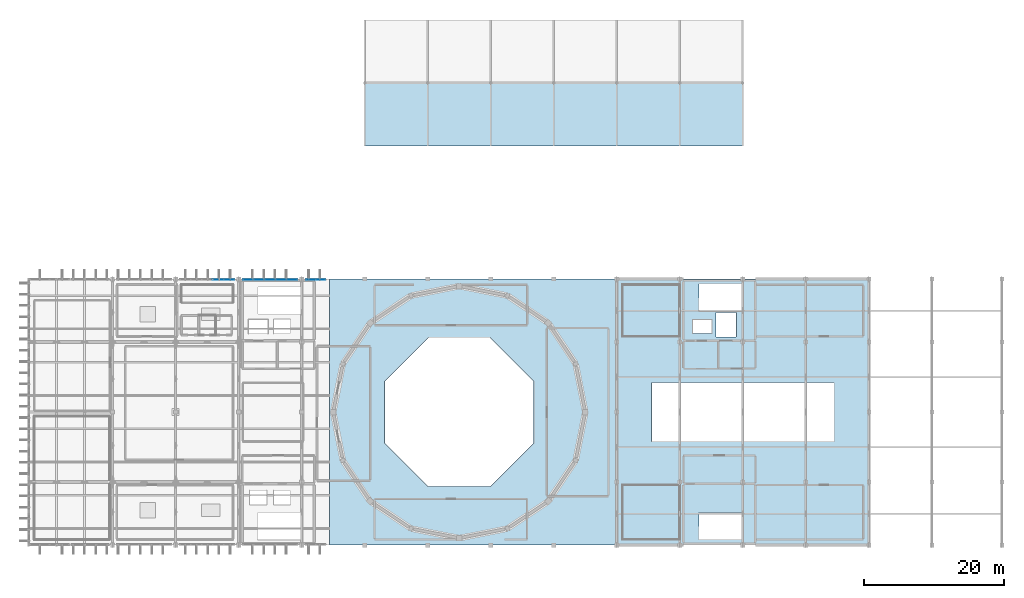
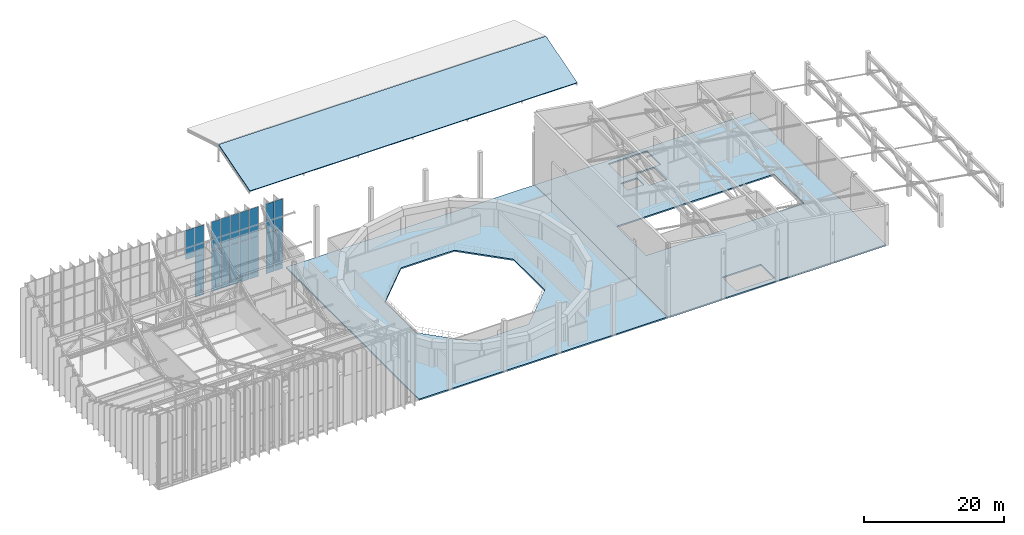
# One storey, part 51 of 68: 25 plates, 3 slabs, 3 elements without a shape of their own.
"""IFC4 building model written with IfcOpenShell, lengths in metres."""

from ifc_helpers import new_model, si_unit, direction, frame, origin, origin_2d, place, context, subcontext, project, spatial, polyline, rectangle, outline, extrude, material, layer, layer_set, type_object, element, aggregate, save


model = new_model("IFC4")

# Units and contexts
model_context = context("Model", 3, precision=1e-05, world=origin(), true_north=direction((0.0, 1.0)))
body_context = subcontext(model_context, "Body", "Model", "MODEL_VIEW")
ifc_project = project(units=[si_unit("LENGTHUNIT", "METRE"), si_unit("AREAUNIT", "SQUARE_METRE"), si_unit("VOLUMEUNIT", "CUBIC_METRE"), si_unit("PLANEANGLEUNIT", "RADIAN"), si_unit("MASSUNIT", "GRAM", prefix="KILO")], contexts=[model_context])

# Site, building, storey
site_placement = place(None, origin())
site = spatial("IfcSite", under=ifc_project, at=site_placement, CompositionType="ELEMENT")
building_placement = place(site_placement, origin())
building = spatial("IfcBuilding", under=site, at=building_placement, Name="Miravela Opera House", CompositionType="ELEMENT")
storey_placement = place(building_placement, frame((0.0, 0.0, 21.760009765625)))
storey = spatial("IfcBuildingStorey", under=building, at=storey_placement, Name="L05", CompositionType="ELEMENT", Elevation=21.760009765625)

# Curtain wall, plates
ifc_material_1 = material(Name="Anodised architectural bronze aluminium 6063-T6", Category="aluminium")
curtain_wall_type = type_object("IfcCurtainWallType", Name="ARC-CW-03", PredefinedType="NOTDEFINED", material=ifc_material_1)
curtain_wall_1_placement = place(storey_placement, origin())
curtain_wall_1 = element("IfcCurtainWall", 1, at=curtain_wall_1_placement, inside=storey, type_object=curtain_wall_type, Name="Auditorium North Wrapper Glazing CW-L05-061", PredefinedType="NOTDEFINED")
ifc_material_2 = material(Name="Triple-glazed acoustic laminated low-E glass", Category="glass")
ifc_layer_1 = layer(ifc_material_2, 0.035888671875)
ifc_layer_set_1 = layer_set([ifc_layer_1])
plate_type = type_object("IfcPlateType", Name="ARC-CWP-36", PredefinedType="CURTAIN_PANEL", material=ifc_layer_set_1)
plate_1_placement = place(storey_placement, frame((42.068115234375, 74.919921875, 7.17236328125), z_axis=(0.0, 0.0, 1.0), x_axis=(1.0, 0.0, 0.0)))
plate_1 = element("IfcPlate", 2, at=plate_1_placement, type_object=plate_type, Name="CW-03 panel 4.3", PredefinedType="CURTAIN_PANEL", context=body_context, shape_type="SweptSolid", body=[
    extrude(rectangle(XDim=1.5029296875, YDim=0.035888671875, at=origin_2d()), origin(), (0.0, 0.0, 1.0), 5.07275390625),
])
plate_2_placement = place(storey_placement, frame((43.61962890625, 74.919921875, 0.06494140625), z_axis=(0.0, 0.0, 1.0), x_axis=(1.0, 0.0, 0.0)))
plate_2 = element("IfcPlate", 3, at=plate_2_placement, type_object=plate_type, Name="CW-03 panel 5.1", PredefinedType="CURTAIN_PANEL", context=body_context, shape_type="SweptSolid", body=[
    extrude(rectangle(XDim=1.470458984375, YDim=0.035888671875, at=origin_2d()), origin(), (0.0, 0.0, 1.0), 0.8525390625),
])
plate_3_placement = place(storey_placement, frame((43.61962890625, 74.919921875, 0.982421875), z_axis=(0.0, 0.0, 1.0), x_axis=(1.0, 0.0, 0.0)))
plate_3 = element("IfcPlate", 4, at=plate_3_placement, type_object=plate_type, Name="CW-03 panel 5.2", PredefinedType="CURTAIN_PANEL", context=body_context, shape_type="SweptSolid", body=[
    extrude(rectangle(XDim=1.470458984375, YDim=0.035888671875, at=origin_2d()), origin(), (0.0, 0.0, 1.0), 6.124755859375),
])
plate_4_placement = place(storey_placement, frame((43.61962890625, 74.919921875, 7.17236328125), z_axis=(0.0, 0.0, 1.0), x_axis=(1.0, 0.0, 0.0)))
plate_4 = element("IfcPlate", 5, at=plate_4_placement, type_object=plate_type, Name="CW-03 panel 5.3", PredefinedType="CURTAIN_PANEL", context=body_context, shape_type="SweptSolid", body=[
    extrude(rectangle(XDim=1.470458984375, YDim=0.035888671875, at=origin_2d()), origin(), (0.0, 0.0, 1.0), 5.07275390625),
])
aggregate(curtain_wall_1, [plate_1, plate_2, plate_3, plate_4])

curtain_wall_2_placement = place(storey_placement, origin())
curtain_wall_2 = element("IfcCurtainWall", 6, at=curtain_wall_2_placement, inside=storey, type_object=curtain_wall_type, Name="Auditorium North Wrapper Glazing CW-L05-063", PredefinedType="NOTDEFINED")
plate_5_placement = place(storey_placement, frame((46.38037109375, 74.919921875, 0.06494140625), z_axis=(0.0, 0.0, 1.0), x_axis=(1.0, 0.0, 0.0)))
plate_5 = element("IfcPlate", 7, at=plate_5_placement, type_object=plate_type, Name="CW-03 panel 1.1", PredefinedType="CURTAIN_PANEL", context=body_context, shape_type="SweptSolid", body=[
    extrude(rectangle(XDim=1.470458984375, YDim=0.035888671875, at=origin_2d()), origin(), (0.0, 0.0, 1.0), 0.8525390625),
])
plate_6_placement = place(storey_placement, frame((46.38037109375, 74.919921875, 0.982421875), z_axis=(0.0, 0.0, 1.0), x_axis=(1.0, 0.0, 0.0)))
plate_6 = element("IfcPlate", 8, at=plate_6_placement, type_object=plate_type, Name="CW-03 panel 1.2", PredefinedType="CURTAIN_PANEL", context=body_context, shape_type="SweptSolid", body=[
    extrude(rectangle(XDim=1.470458984375, YDim=0.035888671875, at=origin_2d()), origin(), (0.0, 0.0, 1.0), 6.124755859375),
])
plate_7_placement = place(storey_placement, frame((46.38037109375, 74.919921875, 7.17236328125), z_axis=(0.0, 0.0, 1.0), x_axis=(1.0, 0.0, 0.0)))
plate_7 = element("IfcPlate", 9, at=plate_7_placement, type_object=plate_type, Name="CW-03 panel 1.3", PredefinedType="CURTAIN_PANEL", context=body_context, shape_type="SweptSolid", body=[
    extrude(rectangle(XDim=1.470458984375, YDim=0.035888671875, at=origin_2d()), origin(), (0.0, 0.0, 1.0), 5.07275390625),
])
plate_8_placement = place(storey_placement, frame((47.931884765625, 74.919921875, 0.06494140625), z_axis=(0.0, 0.0, 1.0), x_axis=(1.0, 0.0, 0.0)))
plate_8 = element("IfcPlate", 10, at=plate_8_placement, type_object=plate_type, Name="CW-03 panel 2.1", PredefinedType="CURTAIN_PANEL", context=body_context, shape_type="SweptSolid", body=[
    extrude(rectangle(XDim=1.5029296875, YDim=0.035888671875, at=origin_2d()), origin(), (0.0, 0.0, 1.0), 0.8525390625),
])
plate_9_placement = place(storey_placement, frame((47.931884765625, 74.919921875, 0.982421875), z_axis=(0.0, 0.0, 1.0), x_axis=(1.0, 0.0, 0.0)))
plate_9 = element("IfcPlate", 11, at=plate_9_placement, type_object=plate_type, Name="CW-03 panel 2.2", PredefinedType="CURTAIN_PANEL", context=body_context, shape_type="SweptSolid", body=[
    extrude(rectangle(XDim=1.5029296875, YDim=0.035888671875, at=origin_2d()), origin(), (0.0, 0.0, 1.0), 6.124755859375),
])
plate_10_placement = place(storey_placement, frame((47.931884765625, 74.919921875, 7.17236328125), z_axis=(0.0, 0.0, 1.0), x_axis=(1.0, 0.0, 0.0)))
plate_10 = element("IfcPlate", 12, at=plate_10_placement, type_object=plate_type, Name="CW-03 panel 2.3", PredefinedType="CURTAIN_PANEL", context=body_context, shape_type="SweptSolid", body=[
    extrude(rectangle(XDim=1.5029296875, YDim=0.035888671875, at=origin_2d()), origin(), (0.0, 0.0, 1.0), 5.07275390625),
])
plate_11_placement = place(storey_placement, frame((49.5, 74.919921875, 0.06494140625), z_axis=(0.0, 0.0, 1.0), x_axis=(1.0, 0.0, 0.0)))
plate_11 = element("IfcPlate", 13, at=plate_11_placement, type_object=plate_type, Name="CW-03 panel 3.1", PredefinedType="CURTAIN_PANEL", context=body_context, shape_type="SweptSolid", body=[
    extrude(rectangle(XDim=1.5029296875, YDim=0.035888671875, at=origin_2d()), origin(), (0.0, 0.0, 1.0), 0.8525390625),
])
plate_12_placement = place(storey_placement, frame((49.5, 74.919921875, 0.982421875), z_axis=(0.0, 0.0, 1.0), x_axis=(1.0, 0.0, 0.0)))
plate_12 = element("IfcPlate", 14, at=plate_12_placement, type_object=plate_type, Name="CW-03 panel 3.2", PredefinedType="CURTAIN_PANEL", context=body_context, shape_type="SweptSolid", body=[
    extrude(rectangle(XDim=1.5029296875, YDim=0.035888671875, at=origin_2d()), origin(), (0.0, 0.0, 1.0), 6.124755859375),
])
plate_13_placement = place(storey_placement, frame((49.5, 74.919921875, 7.17236328125), z_axis=(0.0, 0.0, 1.0), x_axis=(1.0, 0.0, 0.0)))
plate_13 = element("IfcPlate", 15, at=plate_13_placement, type_object=plate_type, Name="CW-03 panel 3.3", PredefinedType="CURTAIN_PANEL", context=body_context, shape_type="SweptSolid", body=[
    extrude(rectangle(XDim=1.5029296875, YDim=0.035888671875, at=origin_2d()), origin(), (0.0, 0.0, 1.0), 5.07275390625),
])
plate_14_placement = place(storey_placement, frame((51.068115234375, 74.919921875, 0.06494140625), z_axis=(0.0, 0.0, 1.0), x_axis=(1.0, 0.0, 0.0)))
plate_14 = element("IfcPlate", 16, at=plate_14_placement, type_object=plate_type, Name="CW-03 panel 4.1", PredefinedType="CURTAIN_PANEL", context=body_context, shape_type="SweptSolid", body=[
    extrude(rectangle(XDim=1.5029296875, YDim=0.035888671875, at=origin_2d()), origin(), (0.0, 0.0, 1.0), 0.8525390625),
])
plate_15_placement = place(storey_placement, frame((51.068115234375, 74.919921875, 0.982421875), z_axis=(0.0, 0.0, 1.0), x_axis=(1.0, 0.0, 0.0)))
plate_15 = element("IfcPlate", 17, at=plate_15_placement, type_object=plate_type, Name="CW-03 panel 4.2", PredefinedType="CURTAIN_PANEL", context=body_context, shape_type="SweptSolid", body=[
    extrude(rectangle(XDim=1.5029296875, YDim=0.035888671875, at=origin_2d()), origin(), (0.0, 0.0, 1.0), 6.124755859375),
])
plate_16_placement = place(storey_placement, frame((51.068115234375, 74.919921875, 7.17236328125), z_axis=(0.0, 0.0, 1.0), x_axis=(1.0, 0.0, 0.0)))
plate_16 = element("IfcPlate", 18, at=plate_16_placement, type_object=plate_type, Name="CW-03 panel 4.3", PredefinedType="CURTAIN_PANEL", context=body_context, shape_type="SweptSolid", body=[
    extrude(rectangle(XDim=1.5029296875, YDim=0.035888671875, at=origin_2d()), origin(), (0.0, 0.0, 1.0), 5.07275390625),
])
plate_17_placement = place(storey_placement, frame((52.61962890625, 74.919921875, 0.06494140625), z_axis=(0.0, 0.0, 1.0), x_axis=(1.0, 0.0, 0.0)))
plate_17 = element("IfcPlate", 19, at=plate_17_placement, type_object=plate_type, Name="CW-03 panel 5.1", PredefinedType="CURTAIN_PANEL", context=body_context, shape_type="SweptSolid", body=[
    extrude(rectangle(XDim=1.470458984375, YDim=0.035888671875, at=origin_2d()), origin(), (0.0, 0.0, 1.0), 0.8525390625),
])
plate_18_placement = place(storey_placement, frame((52.61962890625, 74.919921875, 0.982421875), z_axis=(0.0, 0.0, 1.0), x_axis=(1.0, 0.0, 0.0)))
plate_18 = element("IfcPlate", 20, at=plate_18_placement, type_object=plate_type, Name="CW-03 panel 5.2", PredefinedType="CURTAIN_PANEL", context=body_context, shape_type="SweptSolid", body=[
    extrude(rectangle(XDim=1.470458984375, YDim=0.035888671875, at=origin_2d()), origin(), (0.0, 0.0, 1.0), 6.124755859375),
])
plate_19_placement = place(storey_placement, frame((52.61962890625, 74.919921875, 7.17236328125), z_axis=(0.0, 0.0, 1.0), x_axis=(1.0, 0.0, 0.0)))
plate_19 = element("IfcPlate", 21, at=plate_19_placement, type_object=plate_type, Name="CW-03 panel 5.3", PredefinedType="CURTAIN_PANEL", context=body_context, shape_type="SweptSolid", body=[
    extrude(rectangle(XDim=1.470458984375, YDim=0.035888671875, at=origin_2d()), origin(), (0.0, 0.0, 1.0), 5.07275390625),
])
aggregate(curtain_wall_2, [plate_5, plate_6, plate_7, plate_8, plate_9, plate_10, plate_11, plate_12, plate_13, plate_14, plate_15, plate_16, plate_17, plate_18, plate_19])

curtain_wall_3_placement = place(storey_placement, origin())
curtain_wall_3 = element("IfcCurtainWall", 22, at=curtain_wall_3_placement, inside=storey, type_object=curtain_wall_type, Name="Auditorium North Wrapper Glazing CW-L05-065", PredefinedType="NOTDEFINED")
plate_20_placement = place(storey_placement, frame((55.30615234375, 74.919921875, 0.06494140625), z_axis=(0.0, 0.0, 1.0), x_axis=(1.0, 0.0, 0.0)))
plate_20 = element("IfcPlate", 23, at=plate_20_placement, type_object=plate_type, Name="CW-03 panel 1.1", PredefinedType="CURTAIN_PANEL", context=body_context, shape_type="SweptSolid", body=[
    extrude(rectangle(XDim=1.322509765625, YDim=0.035888671875, at=origin_2d()), origin(), (0.0, 0.0, 1.0), 0.8525390625),
])
plate_21_placement = place(storey_placement, frame((55.30615234375, 74.919921875, 0.982421875), z_axis=(0.0, 0.0, 1.0), x_axis=(1.0, 0.0, 0.0)))
plate_21 = element("IfcPlate", 24, at=plate_21_placement, type_object=plate_type, Name="CW-03 panel 1.2", PredefinedType="CURTAIN_PANEL", context=body_context, shape_type="SweptSolid", body=[
    extrude(rectangle(XDim=1.322509765625, YDim=0.035888671875, at=origin_2d()), origin(), (0.0, 0.0, 1.0), 6.124755859375),
])
plate_22_placement = place(storey_placement, frame((55.30615234375, 74.919921875, 7.17236328125), z_axis=(0.0, 0.0, 1.0), x_axis=(1.0, 0.0, 0.0)))
plate_22 = element("IfcPlate", 25, at=plate_22_placement, type_object=plate_type, Name="CW-03 panel 1.3", PredefinedType="CURTAIN_PANEL", context=body_context, shape_type="SweptSolid", body=[
    extrude(rectangle(XDim=1.322509765625, YDim=0.035888671875, at=origin_2d()), origin(), (0.0, 0.0, 1.0), 5.07275390625),
])
plate_23_placement = place(storey_placement, frame((56.69384765625, 74.919921875, 0.06494140625), z_axis=(0.0, 0.0, 1.0), x_axis=(1.0, 0.0, 0.0)))
plate_23 = element("IfcPlate", 26, at=plate_23_placement, type_object=plate_type, Name="CW-03 panel 2.1", PredefinedType="CURTAIN_PANEL", context=body_context, shape_type="SweptSolid", body=[
    extrude(rectangle(XDim=1.322509765625, YDim=0.035888671875, at=origin_2d()), origin(), (0.0, 0.0, 1.0), 0.8525390625),
])
plate_24_placement = place(storey_placement, frame((56.69384765625, 74.919921875, 0.982421875), z_axis=(0.0, 0.0, 1.0), x_axis=(1.0, 0.0, 0.0)))
plate_24 = element("IfcPlate", 27, at=plate_24_placement, type_object=plate_type, Name="CW-03 panel 2.2", PredefinedType="CURTAIN_PANEL", context=body_context, shape_type="SweptSolid", body=[
    extrude(rectangle(XDim=1.322509765625, YDim=0.035888671875, at=origin_2d()), origin(), (0.0, 0.0, 1.0), 6.124755859375),
])
plate_25_placement = place(storey_placement, frame((56.69384765625, 74.919921875, 7.17236328125), z_axis=(0.0, 0.0, 1.0), x_axis=(1.0, 0.0, 0.0)))
plate_25 = element("IfcPlate", 28, at=plate_25_placement, type_object=plate_type, Name="CW-03 panel 2.3", PredefinedType="CURTAIN_PANEL", context=body_context, shape_type="SweptSolid", body=[
    extrude(rectangle(XDim=1.322509765625, YDim=0.035888671875, at=origin_2d()), origin(), (0.0, 0.0, 1.0), 5.07275390625),
])
aggregate(curtain_wall_3, [plate_20, plate_21, plate_22, plate_23, plate_24, plate_25])

# Slabs
ifc_material_3 = material(Name="Concrete C35/45", Category="concrete")
ifc_layer_2 = layer(ifc_material_3, 0.169921875)
ifc_layer_set_2 = layer_set([ifc_layer_2])
slab_type_1 = type_object("IfcSlabType", Name="STR-ROOF-TILE-170", PredefinedType="ROOF", material=ifc_layer_set_2)
slab_1_placement = place(storey_placement, frame((63.0, 94.0, 0.0), z_axis=(0.0, -0.28735508066, 0.957824126664), x_axis=(1.0, 0.0, 0.0)))
element("IfcSlab", 29, at=slab_1_placement, inside=storey, type_object=slab_type_1, Name="Pitched Clay Barrel-Tile Roof Slab ROOF-V3-TOP Slope 1", PredefinedType="ROOF", context=body_context, shape_type="SweptSolid", body=[
    extrude(outline(polyline([(0.0, 0.0), (54.0, 0.0), (54.0, 9.338946587754467), (0.0, 9.338946587754467), (0.0, 0.0)])), origin(), (0.0, 0.0, -1.0), 0.169921875),
])
ifc_layer_3 = layer(ifc_material_3, 0.239990234375)
ifc_layer_set_3 = layer_set([ifc_layer_3])
slab_type_2 = type_object("IfcSlabType", Name="STR-SLAB-FLR-240", PredefinedType="FLOOR", material=ifc_layer_set_3)
slab_2_placement = place(storey_placement, frame((0.0, 0.0, -0.239990234375)))
element("IfcSlab", 30, at=slab_2_placement, inside=storey, type_object=slab_type_2, Name="Level L05 Floor Slab SLAB-L05-V1E", PredefinedType="FLOOR", context=body_context, shape_type="SweptSolid", body=[
    extrude(outline(polyline([(58.0, 37.0), (99.0, 37.0), (99.0, 75.0), (58.0, 75.0), (58.0, 37.0)]), holes=[polyline([(87.12451171875, 60.40087890625), (80.90087890625, 66.62451171875), (72.09912109375, 66.62451171875), (65.87548828125, 60.40087890625), (65.87548828125, 51.59912109375), (72.09912109375, 45.37548828125), (80.90087890625, 45.37548828125), (87.12451171875, 51.59912109375), (87.12451171875, 60.40087890625)])]), origin(), (0.0, 0.0, 1.0), 0.239990234375),
])
slab_3_placement = place(storey_placement, frame((0.0, 0.0, -0.239990234375)))
element("IfcSlab", 31, at=slab_3_placement, inside=storey, type_object=slab_type_2, Name="Level L05 Floor Slab SLAB-L05-V2M", PredefinedType="FLOOR", context=body_context, shape_type="SweptSolid", body=[
    extrude(outline(polyline([(99.0, 37.0), (135.0, 37.0), (135.0, 75.0), (99.0, 75.0), (99.0, 37.0)]), holes=[polyline([(110.739990234375, 70.39990234375), (117.10009765625, 70.39990234375), (117.10009765625, 74.280029296875), (110.739990234375, 74.280029296875), (110.739990234375, 70.39990234375)]), polyline([(110.739990234375, 37.800048828125), (117.10009765625, 37.800048828125), (117.10009765625, 41.679931640625), (110.739990234375, 41.679931640625), (110.739990234375, 37.800048828125)]), polyline([(109.85009765625, 67.22509765625), (112.550048828125, 67.22509765625), (112.550048828125, 69.175048828125), (109.85009765625, 69.175048828125), (109.85009765625, 67.22509765625)]), polyline([(113.14990234375, 66.75), (116.050048828125, 66.75), (116.050048828125, 70.25), (113.14990234375, 70.25), (113.14990234375, 66.75)]), polyline([(104.0, 51.800048828125), (130.0, 51.800048828125), (130.0, 60.199951171875), (104.0, 60.199951171875), (104.0, 51.800048828125)])]), origin(), (0.0, 0.0, 1.0), 0.239990234375),
])

save(model, "model.ifc")
